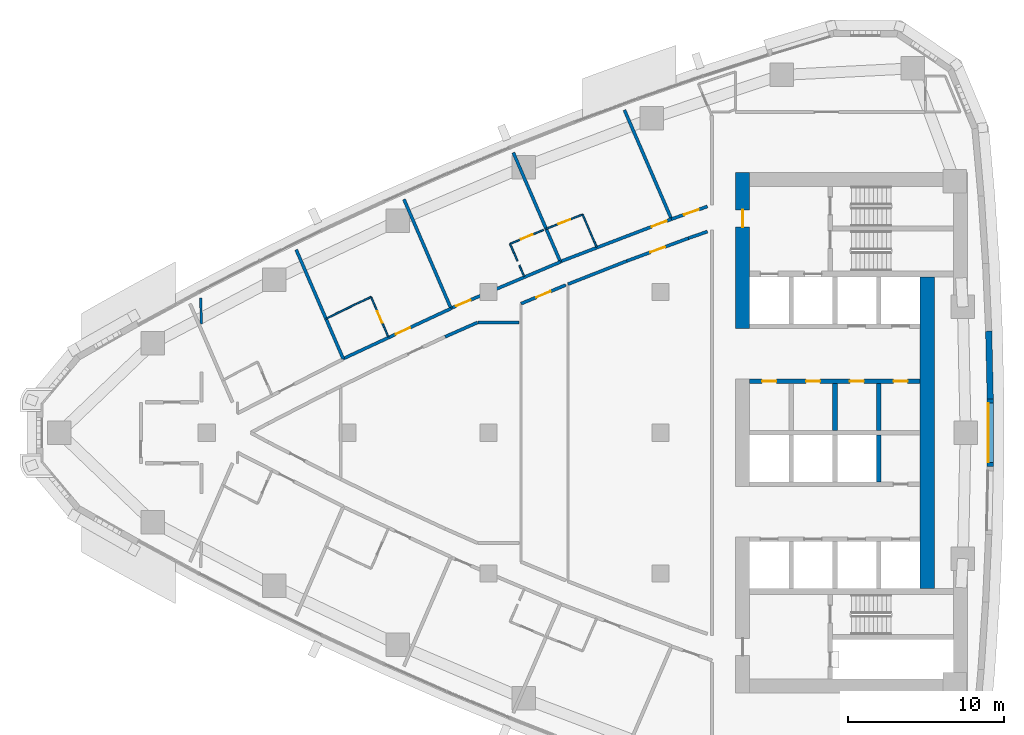
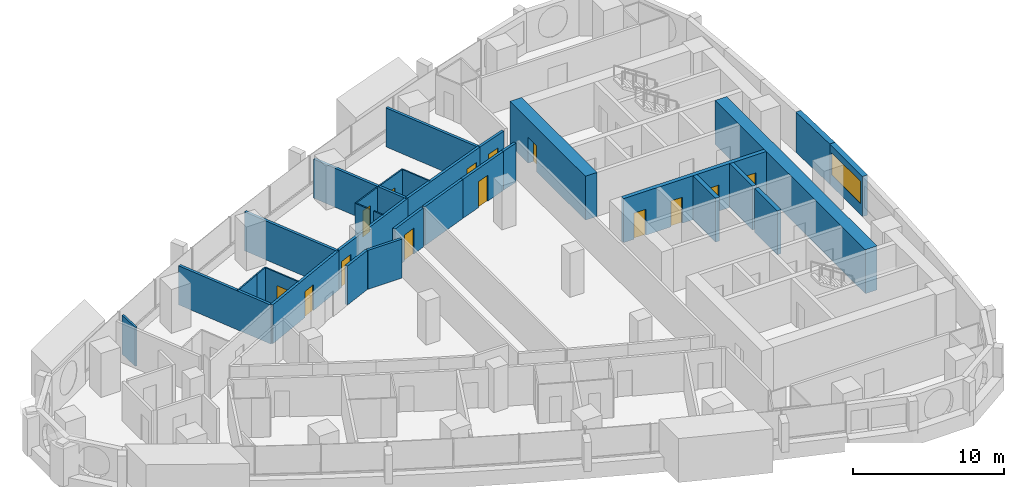
# One storey, part 11 of 17: 31 walls, 14 doors, 1 window, 15 openings.
"""IFC4 building model written with IfcOpenShell, lengths in metres."""

from ifc_helpers import new_model, si_unit, direction, frame, frame_2d, origin, place, context, subcontext, project, spatial, polyline, rectangle, outline, extrude, material, layer, layer_set, type_object, element, fill, save


model = new_model("IFC4")

# Units and contexts
model_context = context("Model", 3, precision=1e-05, world=origin(), true_north=direction((0.0, 1.0)))
body_context = subcontext(model_context, "Body", "Model", "MODEL_VIEW")
ifc_project = project(units=[si_unit("LENGTHUNIT", "METRE"), si_unit("AREAUNIT", "SQUARE_METRE"), si_unit("VOLUMEUNIT", "CUBIC_METRE"), si_unit("PLANEANGLEUNIT", "RADIAN"), si_unit("MASSUNIT", "GRAM", prefix="KILO")], contexts=[model_context])

# Site, building, storey
site_placement = place(None, origin())
site = spatial("IfcSite", under=ifc_project, at=site_placement, CompositionType="ELEMENT")
building_placement = place(site_placement, origin())
building = spatial("IfcBuilding", under=site, at=building_placement, Name="Ostrand Prow Hotel Tower", CompositionType="ELEMENT")
storey_placement = place(building_placement, frame((0.0, 0.0, 162.14990234375)))
storey = spatial("IfcBuildingStorey", under=building, at=storey_placement, Name="L40", CompositionType="ELEMENT", Elevation=162.14990234375)

# Wall, openings, doors
ifc_material_1 = material(Name="Concrete C70/85", Category="concrete")
ifc_layer_1 = layer(ifc_material_1, 0.300048828125)
ifc_layer_set_1 = layer_set([ifc_layer_1], Name="Concrete C70/85")
wall_type_1 = type_object("IfcWallType", Name="Core wall 300 C70/85", PredefinedType="SHEAR", material=ifc_layer_set_1)
wall_1_placement = place(storey_placement, frame((50.699951171875, 3.300048828125, 0.0), z_axis=(0.0, 0.0, 1.0), x_axis=(1.0, 0.0, 0.0)))
wall_1 = element("IfcWall", 1, at=wall_1_placement, inside=storey, type_object=wall_type_1, Name="Core wall PW-L1-N", PredefinedType="SHEAR", context=body_context, shape_type="SweptSolid", body=[
    extrude(rectangle(XDim=10.900146484375, YDim=0.300048828125, at=frame_2d((5.4501953125, 0.0))), origin(), (0.0, 0.0, 1.0), 3.550048828125),
])
opening_1_placement = place(wall_1_placement, frame((0.800048828125, 0.0, 0.0)))
opening_1 = element("IfcOpeningElement", 2, at=opening_1_placement, cuts=wall_1, Name="Opening FD2", PredefinedType="OPENING", context=body_context, shape_type="SweptSolid", body=[
    extrude(rectangle(XDim=0.89990234375, YDim=2.10009765625, at=frame_2d((0.449951171875, 1.050048828125))), frame((0.0, 0.159912109375, 0.0), z_axis=(0.0, -1.0, 0.0), x_axis=(1.0, 0.0, 0.0)), (0.0, 0.0, 1.0), 0.320068359375),
])
opening_2_placement = place(wall_1_placement, frame((3.60009765625, 0.0, 0.0)))
opening_2 = element("IfcOpeningElement", 3, at=opening_2_placement, cuts=wall_1, Name="Opening FD2", PredefinedType="OPENING", context=body_context, shape_type="SweptSolid", body=[
    extrude(rectangle(XDim=0.89990234375, YDim=2.10009765625, at=frame_2d((0.449951171875, 1.050048828125))), frame((0.0, 0.159912109375, 0.0), z_axis=(0.0, -1.0, 0.0), x_axis=(1.0, 0.0, 0.0)), (0.0, 0.0, 1.0), 0.320068359375),
])
opening_3_placement = place(wall_1_placement, frame((6.39990234375, 0.0, 0.0)))
opening_3 = element("IfcOpeningElement", 4, at=opening_3_placement, cuts=wall_1, Name="Opening FD2", PredefinedType="OPENING", context=body_context, shape_type="SweptSolid", body=[
    extrude(rectangle(XDim=0.89990234375, YDim=2.10009765625, at=frame_2d((0.449951171875, 1.050048828125))), frame((0.0, 0.159912109375, 0.0), z_axis=(0.0, -1.0, 0.0), x_axis=(1.0, 0.0, 0.0)), (0.0, 0.0, 1.0), 0.320068359375),
])
opening_4_placement = place(wall_1_placement, frame((9.199951171875, 0.0, 0.0)))
opening_4 = element("IfcOpeningElement", 5, at=opening_4_placement, cuts=wall_1, Name="Opening FD2", PredefinedType="OPENING", context=body_context, shape_type="SweptSolid", body=[
    extrude(rectangle(XDim=0.89990234375, YDim=2.10009765625, at=frame_2d((0.449951171875, 1.050048828125))), frame((0.0, 0.159912109375, 0.0), z_axis=(0.0, -1.0, 0.0), x_axis=(1.0, 0.0, 0.0)), (0.0, 0.0, 1.0), 0.320068359375),
])
ifc_material_2 = material(Name="Steel fire door", Category="steel")
door_type_1 = type_object("IfcDoorType", Name="Fire door 900 EI120", OperationType="SINGLE_SWING_LEFT", PredefinedType="DOOR", material=ifc_material_2)
door_1_placement = place(opening_1_placement, origin())
door_1 = element("IfcDoor", 6, at=door_1_placement, inside=storey, type_object=door_type_1, Name="DOOR", OperationType="SINGLE_SWING_LEFT", OverallHeight=2.10009765625, OverallWidth=0.89990234375, PredefinedType="DOOR", context=body_context, shape_type="SweptSolid", body=[
    extrude(rectangle(XDim=0.89990234375, YDim=2.10009765625, at=frame_2d((0.449951171875, 1.050048828125))), frame((0.0, 0.02490234375, 0.0), z_axis=(0.0, -1.0, 0.0), x_axis=(1.0, 0.0, 0.0)), (0.0, 0.0, 1.0), 0.050048828125),
])
fill(opening_1, door_1)
door_2_placement = place(opening_2_placement, origin())
door_2 = element("IfcDoor", 7, at=door_2_placement, inside=storey, type_object=door_type_1, Name="DOOR", OperationType="SINGLE_SWING_LEFT", OverallHeight=2.10009765625, OverallWidth=0.89990234375, PredefinedType="DOOR", context=body_context, shape_type="SweptSolid", body=[
    extrude(rectangle(XDim=0.89990234375, YDim=2.10009765625, at=frame_2d((0.449951171875, 1.050048828125))), frame((0.0, 0.02490234375, 0.0), z_axis=(0.0, -1.0, 0.0), x_axis=(1.0, 0.0, 0.0)), (0.0, 0.0, 1.0), 0.050048828125),
])
fill(opening_2, door_2)
door_3_placement = place(opening_3_placement, origin())
door_3 = element("IfcDoor", 8, at=door_3_placement, inside=storey, type_object=door_type_1, Name="DOOR", OperationType="SINGLE_SWING_LEFT", OverallHeight=2.10009765625, OverallWidth=0.89990234375, PredefinedType="DOOR", context=body_context, shape_type="SweptSolid", body=[
    extrude(rectangle(XDim=0.89990234375, YDim=2.10009765625, at=frame_2d((0.449951171875, 1.050048828125))), frame((0.0, 0.02490234375, 0.0), z_axis=(0.0, -1.0, 0.0), x_axis=(1.0, 0.0, 0.0)), (0.0, 0.0, 1.0), 0.050048828125),
])
fill(opening_3, door_3)
door_4_placement = place(opening_4_placement, origin())
door_4 = element("IfcDoor", 9, at=door_4_placement, inside=storey, type_object=door_type_1, Name="DOOR", OperationType="SINGLE_SWING_LEFT", OverallHeight=2.10009765625, OverallWidth=0.89990234375, PredefinedType="DOOR", context=body_context, shape_type="SweptSolid", body=[
    extrude(rectangle(XDim=0.89990234375, YDim=2.10009765625, at=frame_2d((0.449951171875, 1.050048828125))), frame((0.0, 0.02490234375, 0.0), z_axis=(0.0, -1.0, 0.0), x_axis=(1.0, 0.0, 0.0)), (0.0, 0.0, 1.0), 0.050048828125),
])
fill(opening_4, door_4)

# Walls
for number, where, z_axis, x_axis, name in (
    (10, (56.14990234375, 0.14990234375, 0.0), (0.0, 0.0, 1.0), (0.0, 1.0, 0.0), "Core wall PW-R2-NB"),
    (11, (58.949951171875, 0.14990234375, 0.0), (0.0, 0.0, 1.0), (0.0, 1.0, 0.0), "Core wall PW-R3-NB"),
    (12, (58.949951171875, -3.14990234375, 0.0), (0.0, 0.0, 1.0), (0.0, 1.0, 0.0), "Core wall PW-R3-SB"),
):
    element("IfcWall", number, at=place(storey_placement, frame(where, z_axis=z_axis, x_axis=x_axis)), inside=storey, type_object=wall_type_1, Name=name, PredefinedType="SHEAR", context=body_context, shape_type="SweptSolid", body=[
        extrude(rectangle(XDim=3.0, YDim=0.300048828125, at=frame_2d((1.5, 0.0))), origin(), (0.0, 0.0, 1.0), 3.550048828125),
    ])

# Wall, opening, door
ifc_material_3 = material(Name="Concrete C70/85", Category="concrete")
ifc_layer_2 = layer(ifc_material_3, 0.89990234375)
ifc_layer_set_2 = layer_set([ifc_layer_2], Name="Concrete C70/85")
wall_type_2 = type_object("IfcWallType", Name="Core wall 900 C70/85", PredefinedType="SHEAR", material=ifc_layer_set_2)
wall_2_placement = place(storey_placement, frame((50.25, 6.64990234375, 0.0), z_axis=(0.0, 0.0, 1.0), x_axis=(0.0, 1.0, 0.0)))
wall_2 = element("IfcWall", 13, at=wall_2_placement, inside=storey, type_object=wall_type_2, Name="Core wall CW-W-N", PredefinedType="SHEAR", context=body_context, shape_type="SweptSolid", body=[
    extrude(rectangle(XDim=10.0, YDim=0.89990234375, at=frame_2d((5.0, 0.0))), origin(), (0.0, 0.0, 1.0), 3.550048828125),
])
opening_5_placement = place(wall_2_placement, frame((6.5, 0.0, 0.0)))
opening_5 = element("IfcOpeningElement", 14, at=opening_5_placement, cuts=wall_2, Name="Opening FD1", PredefinedType="OPENING", context=body_context, shape_type="SweptSolid", body=[
    extrude(rectangle(XDim=1.10009765625, YDim=2.10009765625, at=frame_2d((0.550048828125, 1.050048828125))), frame((0.0, 0.4599609375, 0.0), z_axis=(0.0, -1.0, 0.0), x_axis=(1.0, 0.0, 0.0)), (0.0, 0.0, 1.0), 0.919921875),
])
ifc_material_4 = material(Name="Steel fire door", Category="steel")
door_type_2 = type_object("IfcDoorType", Name="Fire door 1100 EI120", OperationType="SINGLE_SWING_RIGHT", PredefinedType="DOOR", material=ifc_material_4)
door_5_placement = place(opening_5_placement, origin())
door_5 = element("IfcDoor", 15, at=door_5_placement, inside=storey, type_object=door_type_2, Name="FIRE DOOR", OperationType="SINGLE_SWING_RIGHT", OverallHeight=2.10009765625, OverallWidth=1.10009765625, PredefinedType="DOOR", context=body_context, shape_type="SweptSolid", body=[
    extrude(rectangle(XDim=1.10009765625, YDim=2.10009765625, at=frame_2d((0.550048828125, 1.050048828125))), frame((0.0, 0.02490234375, 0.0), z_axis=(0.0, -1.0, 0.0), x_axis=(1.0, 0.0, 0.0)), (0.0, 0.0, 1.0), 0.050048828125),
])
fill(opening_5, door_5)

# Walls
wall_3_placement = place(storey_placement, frame((62.050048828125, -9.949951171875, 0.0), z_axis=(0.0, 0.0, 1.0), x_axis=(0.0, 1.0, 0.0)))
element("IfcWall", 16, at=wall_3_placement, inside=storey, type_object=wall_type_2, Name="Core wall CW-E-C", PredefinedType="SHEAR", context=body_context, shape_type="SweptSolid", body=[
    extrude(rectangle(XDim=19.89990234375, YDim=0.89990234375, at=frame_2d((9.949951171875, 0.0))), origin(), (0.0, 0.0, 1.0), 3.550048828125),
])
ifc_material_5 = material(Name="Plasterboard partition")
ifc_layer_3 = layer(ifc_material_5, 0.10009765625)
ifc_layer_set_3 = layer_set([ifc_layer_3], Name="Plasterboard partition")
wall_type_3 = type_object("IfcWallType", Name="Partition 100 bathroom wall", PredefinedType="PARTITIONING", material=ifc_layer_set_3)
wall_4_placement = place(storey_placement, frame((23.6171875, 7.289306640625, 0.0), z_axis=(0.0, 0.0, 1.0), x_axis=(0.898158387811, 0.439672048696, 0.0)))
element("IfcWall", 17, at=wall_4_placement, inside=storey, type_object=wall_type_3, Name="BATHROOM WALL", PredefinedType="PARTITIONING", context=body_context, shape_type="SweptSolid", body=[
    extrude(rectangle(XDim=2.179931640625, YDim=0.10009765625, at=frame_2d((1.08984375, 0.0))), origin(), (0.0, 0.0, 1.0), 3.150146484375),
])
wall_5_placement = place(storey_placement, frame((25.5751953125, 8.247802734375, 0.0), z_axis=(0.0, 0.0, 1.0), x_axis=(0.906901476145, 0.421342749512, 0.0)))
element("IfcWall", 18, at=wall_5_placement, inside=storey, type_object=wall_type_3, Name="BATHROOM WALL", PredefinedType="PARTITIONING", context=body_context, shape_type="SweptSolid", body=[
    extrude(rectangle(XDim=1.022705078125, YDim=0.10009765625, at=frame_2d((0.51123046875, 0.0))), origin(), (0.0, 0.0, 1.0), 3.150146484375),
])

# Wall, opening, door
wall_6_placement = place(storey_placement, frame((26.502685546875, 8.6787109375, 0.0), z_axis=(0.0, 0.0, 1.0), x_axis=(0.396018464604, -0.918242547311, 0.0)))
wall_6 = element("IfcWall", 19, at=wall_6_placement, inside=storey, type_object=wall_type_3, Name="BATHROOM WALL", PredefinedType="PARTITIONING", context=body_context, shape_type="SweptSolid", body=[
    extrude(rectangle(XDim=2.77783203125, YDim=0.10009765625, at=frame_2d((1.388916015625, 0.0))), origin(), (0.0, 0.0, 1.0), 3.150146484375),
])
opening_6_placement = place(wall_6_placement, frame((1.0, 0.0, 0.0)))
opening_6 = element("IfcOpeningElement", 20, at=opening_6_placement, cuts=wall_6, Name="Opening D2", PredefinedType="OPENING", context=body_context, shape_type="SweptSolid", body=[
    extrude(rectangle(XDim=0.800048828125, YDim=2.10009765625, at=frame_2d((0.39990234375, 1.050048828125))), frame((0.0, 0.06005859375, 0.0), z_axis=(0.0, -1.0, 0.0), x_axis=(1.0, 0.0, 0.0)), (0.0, 0.0, 1.0), 0.1201171875),
])
ifc_material_6 = material(Name="Timber door leaf", Category="wood")
door_type_3 = type_object("IfcDoorType", Name="Bathroom door 800", OperationType="SINGLE_SWING_LEFT", PredefinedType="DOOR", material=ifc_material_6)
door_6_placement = place(opening_6_placement, origin())
door_6 = element("IfcDoor", 21, at=door_6_placement, inside=storey, type_object=door_type_3, Name="DOOR", OperationType="SINGLE_SWING_LEFT", OverallHeight=2.10009765625, OverallWidth=0.800048828125, PredefinedType="DOOR", context=body_context, shape_type="SweptSolid", body=[
    extrude(rectangle(XDim=0.800048828125, YDim=2.10009765625, at=frame_2d((0.39990234375, 1.050048828125))), frame((0.0, 0.02490234375, 0.0), z_axis=(0.0, -1.0, 0.0), x_axis=(1.0, 0.0, 0.0)), (0.0, 0.0, 1.0), 0.050048828125),
])
fill(opening_6, door_6)

wall_7_placement = place(storey_placement, frame((35.38427734375, 12.07421875, 0.0), z_axis=(0.0, 0.0, 1.0), x_axis=(0.923014363649, 0.384765492863, 0.0)))
wall_7 = element("IfcWall", 22, at=wall_7_placement, inside=storey, type_object=wall_type_3, Name="BATHROOM WALL", PredefinedType="PARTITIONING", context=body_context, shape_type="SweptSolid", body=[
    extrude(rectangle(XDim=2.3095703125, YDim=0.10009765625, at=frame_2d((1.15478515625, 0.0))), origin(), (0.0, 0.0, 1.0), 3.150146484375),
])
opening_7_placement = place(wall_7_placement, frame((0.75, 0.0, 0.0)))
opening_7 = element("IfcOpeningElement", 23, at=opening_7_placement, cuts=wall_7, Name="Opening D2", PredefinedType="OPENING", context=body_context, shape_type="SweptSolid", body=[
    extrude(rectangle(XDim=0.800048828125, YDim=2.10009765625, at=frame_2d((0.39990234375, 1.050048828125))), frame((0.0, 0.06005859375, 0.0), z_axis=(0.0, -1.0, 0.0), x_axis=(1.0, 0.0, 0.0)), (0.0, 0.0, 1.0), 0.1201171875),
])
door_7_placement = place(opening_7_placement, origin())
door_7 = element("IfcDoor", 24, at=door_7_placement, inside=storey, type_object=door_type_3, Name="DOOR", OperationType="SINGLE_SWING_LEFT", OverallHeight=2.10009765625, OverallWidth=0.800048828125, PredefinedType="DOOR", context=body_context, shape_type="SweptSolid", body=[
    extrude(rectangle(XDim=0.800048828125, YDim=2.10009765625, at=frame_2d((0.39990234375, 1.050048828125))), frame((0.0, 0.02490234375, 0.0), z_axis=(0.0, -1.0, 0.0), x_axis=(1.0, 0.0, 0.0)), (0.0, 0.0, 1.0), 0.050048828125),
])
fill(opening_7, door_7)

# Walls
wall_8_placement = place(storey_placement, frame((36.285888671875, 9.9833984375, 0.0), z_axis=(0.0, 0.0, 1.0), x_axis=(-0.396019167007, 0.918242244379, 0.0)))
element("IfcWall", 25, at=wall_8_placement, inside=storey, type_object=wall_type_3, Name="BATHROOM WALL", PredefinedType="PARTITIONING", context=body_context, shape_type="SweptSolid", body=[
    extrude(rectangle(XDim=0.785400390625, YDim=0.10009765625, at=frame_2d((0.392578125, 0.0))), origin(), (0.0, 0.0, 1.0), 3.150146484375),
])
wall_9_placement = place(storey_placement, frame((35.858642578125, 10.973876953125, 0.0), z_axis=(0.0, 0.0, 1.0), x_axis=(-0.396057430794, 0.918225741043, 0.0)))
element("IfcWall", 26, at=wall_9_placement, inside=storey, type_object=wall_type_3, Name="BATHROOM WALL", PredefinedType="PARTITIONING", context=body_context, shape_type="SweptSolid", body=[
    extrude(rectangle(XDim=1.1982421875, YDim=0.10009765625, at=frame_2d((0.59912109375, 0.0))), origin(), (0.0, 0.0, 1.0), 3.150146484375),
])

# Wall, opening, door
wall_10_placement = place(storey_placement, frame((37.693359375, 13.03271484375, 0.0), z_axis=(0.0, 0.0, 1.0), x_axis=(0.930568677441, 0.366117380856, 0.0)))
wall_10 = element("IfcWall", 27, at=wall_10_placement, inside=storey, type_object=wall_type_3, Name="BATHROOM WALL", PredefinedType="PARTITIONING", context=body_context, shape_type="SweptSolid", body=[
    extrude(rectangle(XDim=2.501220703125, YDim=0.10009765625, at=frame_2d((1.25048828125, 0.0))), origin(), (0.0, 0.0, 1.0), 3.150146484375),
])
opening_8_placement = place(wall_10_placement, frame((0.85009765625, 0.0, 0.0)))
opening_8 = element("IfcOpeningElement", 28, at=opening_8_placement, cuts=wall_10, Name="Opening D2", PredefinedType="OPENING", context=body_context, shape_type="SweptSolid", body=[
    extrude(rectangle(XDim=0.800048828125, YDim=2.10009765625, at=frame_2d((0.39990234375, 1.050048828125))), frame((0.0, 0.06005859375, 0.0), z_axis=(0.0, -1.0, 0.0), x_axis=(1.0, 0.0, 0.0)), (0.0, 0.0, 1.0), 0.1201171875),
])
door_8_placement = place(opening_8_placement, origin())
door_8 = element("IfcDoor", 29, at=door_8_placement, inside=storey, type_object=door_type_3, Name="DOOR", OperationType="SINGLE_SWING_LEFT", OverallHeight=2.10009765625, OverallWidth=0.800048828125, PredefinedType="DOOR", context=body_context, shape_type="SweptSolid", body=[
    extrude(rectangle(XDim=0.800048828125, YDim=2.10009765625, at=frame_2d((0.39990234375, 1.050048828125))), frame((0.0, 0.02490234375, 0.0), z_axis=(0.0, -1.0, 0.0), x_axis=(1.0, 0.0, 0.0)), (0.0, 0.0, 1.0), 0.050048828125),
])
fill(opening_8, door_8)

# Walls
wall_11_placement = place(storey_placement, frame((40.02099609375, 13.948486328125, 0.0), z_axis=(0.0, 0.0, 1.0), x_axis=(0.39596178423, -0.918266990275, 0.0)))
element("IfcWall", 30, at=wall_11_placement, inside=storey, type_object=wall_type_3, Name="BATHROOM WALL", PredefinedType="PARTITIONING", context=body_context, shape_type="SweptSolid", body=[
    extrude(rectangle(XDim=2.2783203125, YDim=0.10009765625, at=frame_2d((1.13916015625, 0.0))), origin(), (0.0, 0.0, 1.0), 3.150146484375),
])
ifc_material_7 = material(Name="Plasterboard partition")
ifc_layer_4 = layer(ifc_material_7, 0.14990234375)
ifc_layer_set_4 = layer_set([ifc_layer_4], Name="Plasterboard partition")
wall_type_4 = type_object("IfcWallType", Name="Partition 150 room partition", PredefinedType="PARTITIONING", material=ifc_layer_set_4)
wall_12_placement = place(storey_placement, frame((15.603759765625, 8.60888671875, 0.0), z_axis=(0.0, 0.0, 1.0), x_axis=(0.033196927484, -0.999448830109, 0.0)))
element("IfcWall", 31, at=wall_12_placement, inside=storey, type_object=wall_type_4, Name="ROOM PARTITION", PredefinedType="PARTITIONING", context=body_context, shape_type="SweptSolid", body=[
    extrude(rectangle(XDim=1.65478515625, YDim=0.14990234375, at=frame_2d((0.827392578125, 0.0))), origin(), (0.0, 0.0, 1.0), 3.150146484375),
])

# Wall, opening, door
ifc_material_8 = material(Name="Plasterboard partition")
ifc_layer_5 = layer(ifc_material_8, 0.199951171875)
ifc_layer_set_5 = layer_set([ifc_layer_5], Name="Plasterboard partition")
wall_type_5 = type_object("IfcWallType", Name="Partition 200 corridor wall", PredefinedType="PARTITIONING", material=ifc_layer_set_5)
wall_13_placement = place(storey_placement, frame((24.71923828125, 4.7333984375, 0.0), z_axis=(0.0, 0.0, 1.0), x_axis=(0.906593711122, 0.422004553238, 0.0)))
wall_13 = element("IfcWall", 32, at=wall_13_placement, inside=storey, type_object=wall_type_5, Name="CORRIDOR WALL", PredefinedType="PARTITIONING", context=body_context, shape_type="SweptSolid", body=[
    extrude(rectangle(XDim=7.60302734375, YDim=0.199951171875, at=frame_2d((3.801513671875, 0.0))), origin(), (0.0, 0.0, 1.0), 3.150146484375),
])
opening_9_placement = place(wall_13_placement, frame((3.699951171875, 0.0, 0.0)))
opening_9 = element("IfcOpeningElement", 33, at=opening_9_placement, cuts=wall_13, Name="Opening D1", PredefinedType="OPENING", context=body_context, shape_type="SweptSolid", body=[
    extrude(rectangle(XDim=1.0, YDim=2.10009765625, at=frame_2d((0.5, 1.050048828125))), frame((0.0, 0.10986328125, 0.0), z_axis=(0.0, -1.0, 0.0), x_axis=(1.0, 0.0, 0.0)), (0.0, 0.0, 1.0), 0.219970703125),
])
ifc_material_9 = material(Name="Timber door leaf", Category="wood")
door_type_4 = type_object("IfcDoorType", Name="Guest room door 1000", OperationType="SINGLE_SWING_LEFT", PredefinedType="DOOR", material=ifc_material_9)
door_9_placement = place(opening_9_placement, origin())
door_9 = element("IfcDoor", 34, at=door_9_placement, inside=storey, type_object=door_type_4, Name="DOOR", OperationType="SINGLE_SWING_LEFT", OverallHeight=2.10009765625, OverallWidth=1.0, PredefinedType="DOOR", context=body_context, shape_type="SweptSolid", body=[
    extrude(rectangle(XDim=1.0, YDim=2.10009765625, at=frame_2d((0.5, 1.050048828125))), frame((0.0, 0.02490234375, 0.0), z_axis=(0.0, -1.0, 0.0), x_axis=(1.0, 0.0, 0.0)), (0.0, 0.0, 1.0), 0.050048828125),
])
fill(opening_9, door_9)

wall_14_placement = place(storey_placement, frame((31.604248046875, 7.960205078125, 0.0), z_axis=(0.0, 0.0, 1.0), x_axis=(0.921069634751, 0.389397904386, 0.0)))
wall_14 = element("IfcWall", 35, at=wall_14_placement, inside=storey, type_object=wall_type_5, Name="CORRIDOR WALL", PredefinedType="PARTITIONING", context=body_context, shape_type="SweptSolid", body=[
    extrude(rectangle(XDim=7.60009765625, YDim=0.199951171875, at=frame_2d((3.800048828125, 0.0))), origin(), (0.0, 0.0, 1.0), 3.150146484375),
])
opening_10_placement = place(wall_14_placement, frame((0.35009765625, 0.0, 0.0)))
opening_10 = element("IfcOpeningElement", 36, at=opening_10_placement, cuts=wall_14, Name="Opening D1", PredefinedType="OPENING", context=body_context, shape_type="SweptSolid", body=[
    extrude(rectangle(XDim=1.0, YDim=2.10009765625, at=frame_2d((0.5, 1.050048828125))), frame((0.0, 0.10986328125, 0.0), z_axis=(0.0, -1.0, 0.0), x_axis=(1.0, 0.0, 0.0)), (0.0, 0.0, 1.0), 0.219970703125),
])
door_10_placement = place(opening_10_placement, origin())
door_10 = element("IfcDoor", 37, at=door_10_placement, inside=storey, type_object=door_type_4, Name="DOOR", OperationType="SINGLE_SWING_LEFT", OverallHeight=2.10009765625, OverallWidth=1.0, PredefinedType="DOOR", context=body_context, shape_type="SweptSolid", body=[
    extrude(rectangle(XDim=1.0, YDim=2.10009765625, at=frame_2d((0.5, 1.050048828125))), frame((0.0, 0.02490234375, 0.0), z_axis=(0.0, -1.0, 0.0), x_axis=(1.0, 0.0, 0.0)), (0.0, 0.0, 1.0), 0.050048828125),
])
fill(opening_10, door_10)

wall_15_placement = place(storey_placement, frame((45.70166015625, 13.655029296875, 0.0), z_axis=(0.0, 0.0, 1.0), x_axis=(-0.934032939798, -0.35718688018, 0.0)))
wall_15 = element("IfcWall", 38, at=wall_15_placement, inside=storey, type_object=wall_type_5, Name="CORRIDOR WALL", PredefinedType="PARTITIONING", context=body_context, shape_type="SweptSolid", body=[
    extrude(rectangle(XDim=7.606689453125, YDim=0.199951171875, at=frame_2d((3.80322265625, 0.0))), origin(), (0.0, 0.0, 1.0), 3.150146484375),
])
opening_11_placement = place(wall_15_placement, frame((0.35009765625, 0.0, 0.0)))
opening_11 = element("IfcOpeningElement", 39, at=opening_11_placement, cuts=wall_15, Name="Opening D1", PredefinedType="OPENING", context=body_context, shape_type="SweptSolid", body=[
    extrude(rectangle(XDim=1.0, YDim=2.10009765625, at=frame_2d((0.5, 1.050048828125))), frame((0.0, 0.10986328125, 0.0), z_axis=(0.0, -1.0, 0.0), x_axis=(1.0, 0.0, 0.0)), (0.0, 0.0, 1.0), 0.219970703125),
])
door_11_placement = place(opening_11_placement, origin())
door_11 = element("IfcDoor", 40, at=door_11_placement, inside=storey, type_object=door_type_4, Name="DOOR", OperationType="SINGLE_SWING_LEFT", OverallHeight=2.10009765625, OverallWidth=1.0, PredefinedType="DOOR", context=body_context, shape_type="SweptSolid", body=[
    extrude(rectangle(XDim=1.0, YDim=2.10009765625, at=frame_2d((0.5, 1.050048828125))), frame((0.0, 0.02490234375, 0.0), z_axis=(0.0, -1.0, 0.0), x_axis=(1.0, 0.0, 0.0)), (0.0, 0.0, 1.0), 0.050048828125),
])
fill(opening_11, door_11)

# Wall
wall_16_placement = place(storey_placement, frame((31.231201171875, 6.135009765625, 0.0), z_axis=(0.0, 0.0, 1.0), x_axis=(0.915102334452, 0.403221672881, 0.0)))
element("IfcWall", 41, at=wall_16_placement, inside=storey, type_object=wall_type_5, Name="CORRIDOR WALL", PredefinedType="PARTITIONING", context=body_context, shape_type="SweptSolid", body=[
    extrude(rectangle(XDim=2.269287109375, YDim=0.199951171875, at=frame_2d((1.134765625, 0.0))), origin(), (0.0, 0.0, 1.0), 3.150146484375),
])

# Wall, opening, door
wall_17_placement = place(storey_placement, frame((36.08740234375, 8.25048828125, 0.0), z_axis=(0.0, 0.0, 1.0), x_axis=(0.923013875818, 0.384766663118, 0.0)))
wall_17 = element("IfcWall", 42, at=wall_17_placement, inside=storey, type_object=wall_type_5, Name="CORRIDOR WALL", PredefinedType="PARTITIONING", context=body_context, shape_type="SweptSolid", body=[
    extrude(rectangle(XDim=3.093994140625, YDim=0.199951171875, at=frame_2d((1.546875, 0.0))), origin(), (0.0, 0.0, 1.0), 3.150146484375),
])
opening_12_placement = place(wall_17_placement, frame((1.046875, 0.0, 0.0)))
opening_12 = element("IfcOpeningElement", 43, at=opening_12_placement, cuts=wall_17, Name="Opening D1R", PredefinedType="OPENING", context=body_context, shape_type="SweptSolid", body=[
    extrude(rectangle(XDim=1.0, YDim=2.10009765625, at=frame_2d((0.5, 1.050048828125))), frame((0.0, 0.10986328125, 0.0), z_axis=(0.0, -1.0, 0.0), x_axis=(1.0, 0.0, 0.0)), (0.0, 0.0, 1.0), 0.219970703125),
])
ifc_material_10 = material(Name="Timber door leaf", Category="wood")
door_type_5 = type_object("IfcDoorType", Name="Guest room door 1000 right", OperationType="SINGLE_SWING_RIGHT", PredefinedType="DOOR", material=ifc_material_10)
door_12_placement = place(opening_12_placement, origin())
door_12 = element("IfcDoor", 44, at=door_12_placement, inside=storey, type_object=door_type_5, Name="DOOR", OperationType="SINGLE_SWING_RIGHT", OverallHeight=2.10009765625, OverallWidth=1.0, PredefinedType="DOOR", context=body_context, shape_type="SweptSolid", body=[
    extrude(rectangle(XDim=1.0, YDim=2.10009765625, at=frame_2d((0.5, 1.050048828125))), frame((0.0, 0.02490234375, 0.0), z_axis=(0.0, -1.0, 0.0), x_axis=(1.0, 0.0, 0.0)), (0.0, 0.0, 1.0), 0.050048828125),
])
fill(opening_12, door_12)

wall_18_placement = place(storey_placement, frame((42.84716796875, 10.976806640625, 0.0), z_axis=(0.0, 0.0, 1.0), x_axis=(0.937732614305, 0.347357948044, 0.0)))
wall_18 = element("IfcWall", 45, at=wall_18_placement, inside=storey, type_object=wall_type_5, Name="CORRIDOR WALL", PredefinedType="PARTITIONING", context=body_context, shape_type="SweptSolid", body=[
    extrude(rectangle(XDim=4.1953125, YDim=0.199951171875, at=frame_2d((2.09765625, 0.0))), origin(), (0.0, 0.0, 1.0), 3.150146484375),
])
opening_13_placement = place(wall_18_placement, frame((1.59765625, 0.0, 0.0)))
opening_13 = element("IfcOpeningElement", 46, at=opening_13_placement, cuts=wall_18, Name="Opening D1", PredefinedType="OPENING", context=body_context, shape_type="SweptSolid", body=[
    extrude(rectangle(XDim=1.0, YDim=2.10009765625, at=frame_2d((0.5, 1.050048828125))), frame((0.0, 0.10986328125, 0.0), z_axis=(0.0, -1.0, 0.0), x_axis=(1.0, 0.0, 0.0)), (0.0, 0.0, 1.0), 0.219970703125),
])
door_13_placement = place(opening_13_placement, origin())
door_13 = element("IfcDoor", 47, at=door_13_placement, inside=storey, type_object=door_type_4, Name="DOOR", OperationType="SINGLE_SWING_LEFT", OverallHeight=2.10009765625, OverallWidth=1.0, PredefinedType="DOOR", context=body_context, shape_type="SweptSolid", body=[
    extrude(rectangle(XDim=1.0, YDim=2.10009765625, at=frame_2d((0.5, 1.050048828125))), frame((0.0, 0.02490234375, 0.0), z_axis=(0.0, -1.0, 0.0), x_axis=(1.0, 0.0, 0.0)), (0.0, 0.0, 1.0), 0.050048828125),
])
fill(opening_13, door_13)

# Wall
wall_19_placement = place(storey_placement, frame((39.08740234375, 9.497802734375, 0.0), z_axis=(0.0, 0.0, 1.0), x_axis=(0.930586875578, 0.366071122873, 0.0)))
element("IfcWall", 48, at=wall_19_placement, inside=storey, type_object=wall_type_5, Name="CORRIDOR WALL", PredefinedType="PARTITIONING", context=body_context, shape_type="SweptSolid", body=[
    extrude(rectangle(XDim=4.040283203125, YDim=0.199951171875, at=frame_2d((2.02001953125, 0.0))), origin(), (0.0, 0.0, 1.0), 3.150146484375),
])

# Wall, opening, door
wall_20_placement = place(storey_placement, frame((48.0, 14.465576171875, 0.0), z_axis=(0.0, 0.0, 1.0), x_axis=(-0.94307168041, -0.332589545248, 0.0)))
wall_20 = element("IfcWall", 49, at=wall_20_placement, inside=storey, type_object=wall_type_5, Name="CORRIDOR WALL", PredefinedType="PARTITIONING", context=body_context, shape_type="SweptSolid", body=[
    extrude(rectangle(XDim=2.43701171875, YDim=0.199951171875, at=frame_2d((1.218505859375, 0.0))), origin(), (0.0, 0.0, 1.0), 3.150146484375),
])
opening_14_placement = place(wall_20_placement, frame((0.58203125, 0.0, 0.0)))
opening_14 = element("IfcOpeningElement", 50, at=opening_14_placement, cuts=wall_20, Name="Opening D1", PredefinedType="OPENING", context=body_context, shape_type="SweptSolid", body=[
    extrude(rectangle(XDim=1.0, YDim=2.10009765625, at=frame_2d((0.5, 1.050048828125))), frame((0.0, 0.10986328125, 0.0), z_axis=(0.0, -1.0, 0.0), x_axis=(1.0, 0.0, 0.0)), (0.0, 0.0, 1.0), 0.219970703125),
])
door_14_placement = place(opening_14_placement, origin())
door_14 = element("IfcDoor", 51, at=door_14_placement, inside=storey, type_object=door_type_4, Name="DOOR", OperationType="SINGLE_SWING_LEFT", OverallHeight=2.10009765625, OverallWidth=1.0, PredefinedType="DOOR", context=body_context, shape_type="SweptSolid", body=[
    extrude(rectangle(XDim=1.0, YDim=2.10009765625, at=frame_2d((0.5, 1.050048828125))), frame((0.0, 0.02490234375, 0.0), z_axis=(0.0, -1.0, 0.0), x_axis=(1.0, 0.0, 0.0)), (0.0, 0.0, 1.0), 0.050048828125),
])
fill(opening_14, door_14)

# Walls
wall_21_placement = place(storey_placement, frame((46.78125, 12.43408203125, 0.0), z_axis=(0.0, 0.0, 1.0), x_axis=(0.944517215109, 0.328461916152, 0.0)))
element("IfcWall", 52, at=wall_21_placement, inside=storey, type_object=wall_type_5, Name="CORRIDOR WALL", PredefinedType="PARTITIONING", context=body_context, shape_type="SweptSolid", body=[
    extrude(rectangle(XDim=1.290283203125, YDim=0.199951171875, at=frame_2d((0.64501953125, 0.0))), origin(), (0.0, 0.0, 1.0), 3.150146484375),
])
wall_22_placement = place(storey_placement, frame((33.347412109375, 7.044921875, 0.0), z_axis=(0.0, 0.0, 1.0), x_axis=(0.999999982426, 0.000187476562, 0.0)))
element("IfcWall", 53, at=wall_22_placement, inside=storey, type_object=wall_type_5, Name="CORRIDOR WALL", PredefinedType="PARTITIONING", context=body_context, shape_type="SweptSolid", body=[
    extrude(rectangle(XDim=2.6044921875, YDim=0.199951171875, at=frame_2d((1.30224609375, 0.0))), origin(), (0.0, 0.0, 1.0), 3.150146484375),
])
ifc_material_11 = material(Name="Plasterboard partition")
ifc_layer_6 = layer(ifc_material_11, 0.199951171875)
ifc_layer_set_6 = layer_set([ifc_layer_6], Name="Plasterboard partition")
wall_type_6 = type_object("IfcWallType", Name="Partition 200 key partition", PredefinedType="PARTITIONING", material=ifc_layer_set_6)
wall_23_placement = place(storey_placement, frame((24.72705078125, 4.715087890625, 0.0), z_axis=(0.0, 0.0, 1.0), x_axis=(-0.395982367396, 0.918258114427, 0.0)))
element("IfcWall", 54, at=wall_23_placement, inside=storey, type_object=wall_type_6, Name="KEY PARTITION", PredefinedType="PARTITIONING", context=body_context, shape_type="SweptSolid", body=[
    extrude(rectangle(XDim=7.60888671875, YDim=0.199951171875, at=frame_2d((3.804443359375, 0.0))), origin(), (0.0, 0.0, 1.0), 3.150146484375),
])
wall_24_placement = place(storey_placement, frame((31.612060546875, 7.94189453125, 0.0), z_axis=(0.0, 0.0, 1.0), x_axis=(-0.395976934703, 0.91826045716, 0.0)))
element("IfcWall", 55, at=wall_24_placement, inside=storey, type_object=wall_type_6, Name="KEY PARTITION", PredefinedType="PARTITIONING", context=body_context, shape_type="SweptSolid", body=[
    extrude(rectangle(XDim=7.600341796875, YDim=0.199951171875, at=frame_2d((3.80029296875, 0.0))), origin(), (0.0, 0.0, 1.0), 3.150146484375),
])
wall_25_placement = place(storey_placement, frame((38.6044921875, 10.919677734375, 0.0), z_axis=(0.0, 0.0, 1.0), x_axis=(-0.395975928923, 0.918260890877, 0.0)))
element("IfcWall", 56, at=wall_25_placement, inside=storey, type_object=wall_type_6, Name="KEY PARTITION", PredefinedType="PARTITIONING", context=body_context, shape_type="SweptSolid", body=[
    extrude(rectangle(XDim=7.60400390625, YDim=0.199951171875, at=frame_2d((3.802001953125, 0.0))), origin(), (0.0, 0.0, 1.0), 3.150146484375),
])
wall_26_placement = place(storey_placement, frame((45.70947265625, 13.63671875, 0.0), z_axis=(0.0, 0.0, 1.0), x_axis=(-0.395993528256, 0.918253301426, 0.0)))
element("IfcWall", 57, at=wall_26_placement, inside=storey, type_object=wall_type_6, Name="KEY PARTITION", PredefinedType="PARTITIONING", context=body_context, shape_type="SweptSolid", body=[
    extrude(rectangle(XDim=7.6103515625, YDim=0.199951171875, at=frame_2d((3.80517578125, 0.0))), origin(), (0.0, 0.0, 1.0), 3.150146484375),
])

# Wall, opening, window
ifc_material_12 = material(Name="Precast concrete C40/50", Category="concrete")
ifc_layer_7 = layer(ifc_material_12, 0.39990234375)
ifc_layer_set_7 = layer_set([ifc_layer_7], Name="Precast concrete C40/50")
wall_type_7 = type_object("IfcWallType", Name="Stone-faced precast wall 400 mm", PredefinedType="NOTDEFINED", material=ifc_layer_set_7)
wall_27_placement = place(storey_placement, frame((66.07568359375, -2.16455078125, 0.0), z_axis=(0.0, 0.0, 1.0), x_axis=(0.0, 1.0, 0.0)))
wall_27 = element("IfcWall", 58, at=wall_27_placement, inside=storey, type_object=wall_type_7, Name="Stone-faced wall back 9", PredefinedType="NOTDEFINED", context=body_context, shape_type="SweptSolid", body=[
    extrude(outline(polyline([(-0.002197265625, -0.199951171875), (4.331298828125, -0.199951171875), (4.326904296875, 0.199951171875), (0.002197265625, 0.199951171875), (-0.002197265625, -0.199951171875)])), origin(), (0.0, 0.0, 1.0), 3.25),
])
opening_15_placement = place(wall_27_placement, frame((0.264404296875, 0.0, 0.89990234375)))
opening_15 = element("IfcOpeningElement", 59, at=opening_15_placement, cuts=wall_27, Name="Opening WS3-38", PredefinedType="OPENING", context=body_context, shape_type="SweptSolid", body=[
    extrude(rectangle(XDim=3.800048828125, YDim=1.800048828125, at=frame_2d((1.89990234375, 0.89990234375))), frame((0.0, 0.2099609375, 0.0), z_axis=(0.0, -1.0, 0.0), x_axis=(1.0, 0.0, 0.0)), (0.0, 0.0, 1.0), 0.419921875),
])
ifc_material_13 = material(Name="Insulated glass in bronze frame", Category="glass")
window_type = type_object("IfcWindowType", Name="Strip window 3800x1800", PartitioningType="SINGLE_PANEL", PredefinedType="WINDOW", material=ifc_material_13)
window_placement = place(opening_15_placement, origin())
window = element("IfcWindow", 60, at=window_placement, inside=storey, type_object=window_type, Name="Window back 9.1", OverallHeight=1.800048828125, OverallWidth=3.800048828125, PartitioningType="SINGLE_PANEL", PredefinedType="WINDOW", context=body_context, shape_type="SweptSolid", body=[
    extrude(rectangle(XDim=3.800048828125, YDim=1.800048828125, at=frame_2d((1.89990234375, 0.89990234375))), frame((0.0, 0.169921875, 0.0), z_axis=(0.0, -1.0, 0.0), x_axis=(1.0, 0.0, 0.0)), (0.0, 0.0, 1.0), 0.06005859375),
])
fill(opening_15, window)

# Wall
wall_28_placement = place(storey_placement, frame((66.07568359375, 2.16455078125, 0.0), z_axis=(0.0, 0.0, 1.0), x_axis=(-0.02261635063, 0.99974421763, 0.0)))
element("IfcWall", 61, at=wall_28_placement, inside=storey, type_object=wall_type_7, Name="Stone-faced wall back 10", PredefinedType="NOTDEFINED", context=body_context, shape_type="SweptSolid", body=[
    extrude(outline(polyline([(-0.002197265625, -0.199951171875), (4.3310546875, -0.199951171875), (4.32666015625, 0.199951171875), (0.002197265625, 0.199951171875), (-0.002197265625, -0.199951171875)])), origin(), (0.0, 0.0, 1.0), 3.25),
])

save(model, "model.ifc")
